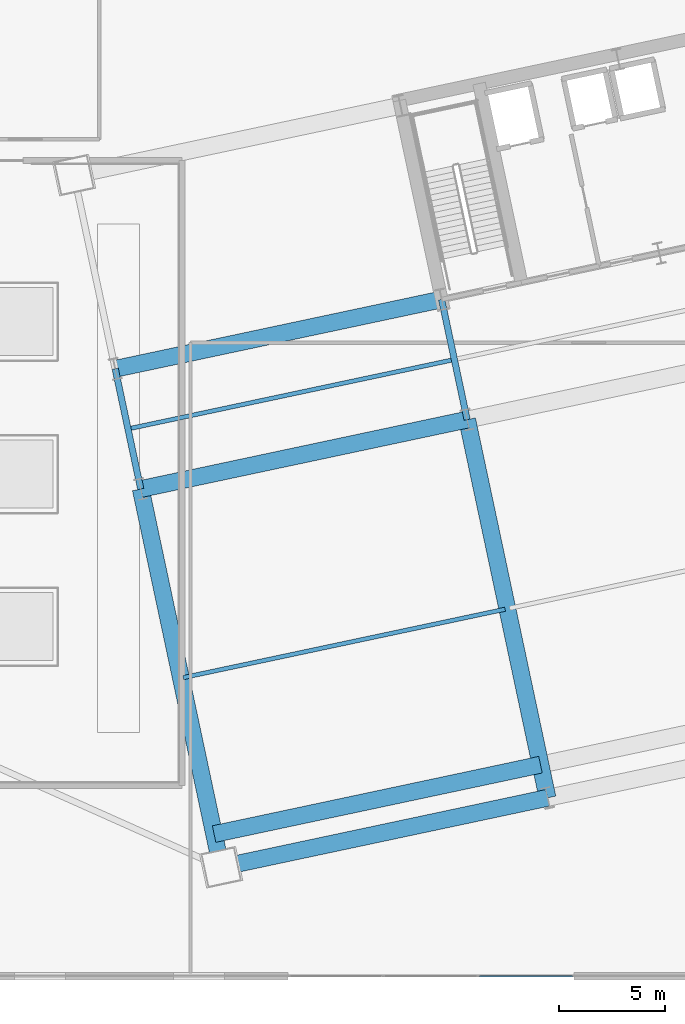
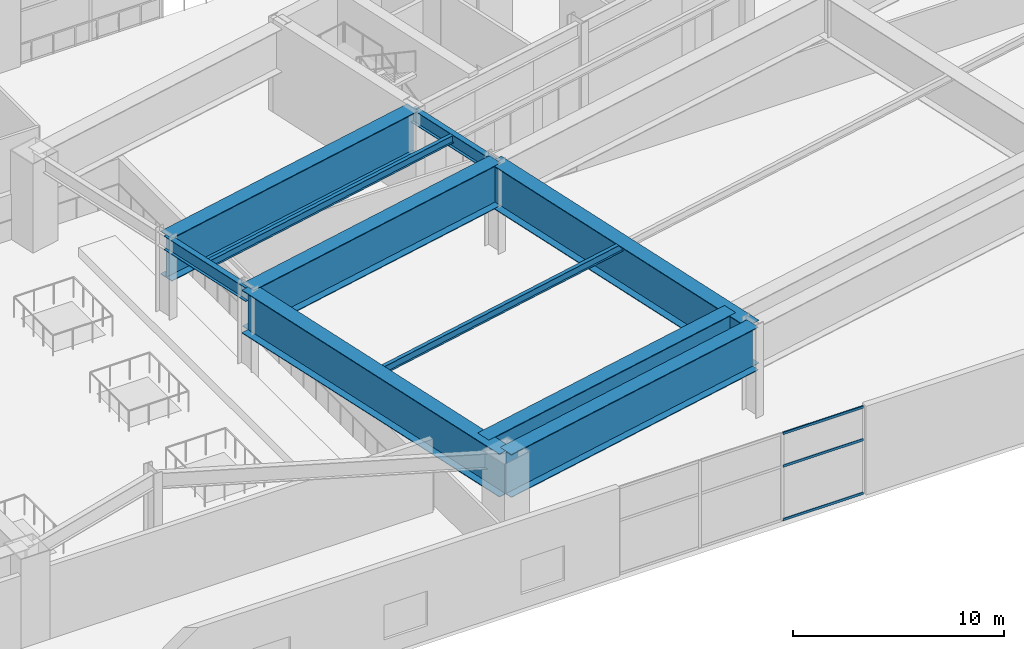
# One storey, part 9 of 29: 10 beams, 3 members, 1 element without a shape of its own.
"""IFC4 building model written with IfcOpenShell, lengths in metres."""

from ifc_helpers import new_model, si_unit, direction, frame, origin, origin_2d, place, context, subcontext, project, spatial, hollow_rectangle, i_section, extrude, material, layer, layer_set, material_profile, profile_set, type_object, element, aggregate, save


model = new_model("IFC4")

# Units and contexts
model_context = context("Model", 3, precision=1e-05, world=origin(), true_north=direction((0.0, 1.0)))
body_context = subcontext(model_context, "Body", "Model", "MODEL_VIEW")
ifc_project = project(units=[si_unit("LENGTHUNIT", "METRE"), si_unit("AREAUNIT", "SQUARE_METRE"), si_unit("VOLUMEUNIT", "CUBIC_METRE"), si_unit("PLANEANGLEUNIT", "RADIAN"), si_unit("MASSUNIT", "GRAM", prefix="KILO")], contexts=[model_context])

# Site, building, storey
site_placement = place(None, origin())
site = spatial("IfcSite", under=ifc_project, at=site_placement, CompositionType="ELEMENT")
building_placement = place(site_placement, origin())
building = spatial("IfcBuilding", under=site, at=building_placement, Name="Haevon Station Towers", CompositionType="ELEMENT")
storey_placement = place(building_placement, frame((0.0, 0.0, 25.199951171875)))
storey = spatial("IfcBuildingStorey", under=building, at=storey_placement, Name="L05", CompositionType="ELEMENT", Elevation=25.199951171875)

# Beams
ifc_material_1 = material(Name="Steel S355", Category="steel")
ifc_material_profile_1 = material_profile(ifc_material_1, i_section(OverallWidth=0.199951171875, OverallDepth=0.449951171875, WebThickness=0.009033203125, FlangeThickness=0.013916015625, at=origin_2d()), Name="H-450x200x9x14")
ifc_profile_set_1 = profile_set([ifc_material_profile_1], Name="Steel S355")
beam_type_1 = type_object("IfcBeamType", Name="BM-J450", PredefinedType="JOIST", material=ifc_profile_set_1)
for number, where, z_axis, x_axis, name in (
    (1, (86.55712890625, 19.591796875, 4.925048828125), (0.978145944065, 0.207919484679, 0.0), (-0.207919484679, 0.978145944065, 0.0), "BM-T2J-L05-01-01"),
    (2, (84.05712890625, 31.35400390625, 4.925048828125), (0.978145944065, 0.207919484679, 0.0), (-0.207919484679, 0.978145944065, 0.0), "BM-T2J-L05-02-01"),
):
    element("IfcBeam", number, at=place(storey_placement, frame(where, z_axis=z_axis, x_axis=x_axis)), inside=storey, type_object=beam_type_1, Name=name, PredefinedType="JOIST", context=body_context, shape_type="SweptSolid", body=[
        extrude(i_section(OverallWidth=0.199951171875, OverallDepth=0.449951171875, WebThickness=0.009033203125, FlangeThickness=0.013916015625, at=origin_2d()), origin(), (0.0, 0.0, 1.0), 15.530029296875),
    ])
ifc_material_profile_2 = material_profile(ifc_material_1, i_section(OverallWidth=0.300048828125, OverallDepth=0.800048828125, WebThickness=0.013916015625, FlangeThickness=0.02587890625, at=origin_2d()), Name="H-800x300x14x26")
ifc_profile_set_2 = profile_set([ifc_material_profile_2], Name="Steel S355")
beam_type_2 = type_object("IfcBeamType", Name="BM-PG800", PredefinedType="BEAM", material=ifc_profile_set_2)
beam_1_placement = place(storey_placement, frame((84.552490234375, 28.49462890625, 4.75), z_axis=(-0.207944843707, 0.978140553282, 0.0), x_axis=(-0.978140553282, -0.207944843707, 0.0)))
element("IfcBeam", 3, at=beam_1_placement, inside=storey, type_object=beam_type_2, Name="BM-T2V-L05-01-02", PredefinedType="BEAM", context=body_context, shape_type="SweptSolid", body=[
    extrude(i_section(OverallWidth=0.300048828125, OverallDepth=0.800048828125, WebThickness=0.013916015625, FlangeThickness=0.02587890625, at=origin_2d()), origin(), (0.0, 0.0, 1.0), 5.7998046875),
])
beam_2_placement = place(storey_placement, frame((99.958251953125, 31.76904296875, 4.75), z_axis=(-0.207896009217, 0.97815093383, 0.0), x_axis=(-0.97815093383, -0.207896009217, 0.0)))
element("IfcBeam", 4, at=beam_2_placement, inside=storey, type_object=beam_type_2, Name="BM-T2V-L05-02-02", PredefinedType="BEAM", context=body_context, shape_type="SweptSolid", body=[
    extrude(i_section(OverallWidth=0.300048828125, OverallDepth=0.800048828125, WebThickness=0.013916015625, FlangeThickness=0.02587890625, at=origin_2d()), origin(), (0.0, 0.0, 1.0), 5.800048828125),
])
ifc_material_2 = material(Name="Steel S460", Category="steel")
ifc_material_profile_3 = material_profile(ifc_material_2, i_section(OverallWidth=0.800048828125, OverallDepth=2.5, WebThickness=0.031982421875, FlangeThickness=0.0400390625, at=origin_2d()), Name="H-2500x800x32x40")
ifc_profile_set_3 = profile_set([ifc_material_profile_3], Name="Steel S460")
beam_type_3 = type_object("IfcBeamType", Name="BM-TG2500", PredefinedType="BEAM", material=ifc_profile_set_3)
for number, where, z_axis, x_axis, name in (
    (5, (88.346923828125, 10.643310546875, 3.900146484375), (0.978146794194, 0.207915485254, 0.0), (-0.207915485254, 0.978146794194, 0.0), "BM-T2U-L05-01-01"),
    (6, (84.552490234375, 28.49462890625, 3.900146484375), (0.978149946567, 0.207900654232, 0.0), (-0.207900654232, 0.978149946567, 0.0), "BM-T2U-L05-02-01"),
):
    element("IfcBeam", number, at=place(storey_placement, frame(where, z_axis=z_axis, x_axis=x_axis)), inside=storey, type_object=beam_type_3, Name=name, PredefinedType="BEAM", context=body_context, shape_type="SweptSolid", body=[
        extrude(i_section(OverallWidth=0.800048828125, OverallDepth=2.5, WebThickness=0.031982421875, FlangeThickness=0.0400390625, at=origin_2d()), origin(), (0.0, 0.0, 1.0), 15.75),
    ])
beam_3_placement = place(storey_placement, frame((83.346435546875, 34.167724609375, 3.900146484375), z_axis=(0.978147464271, 0.207912332825, 0.0), x_axis=(-0.207912332825, 0.978147464271, 0.0)))
element("IfcBeam", 7, at=beam_3_placement, inside=storey, type_object=beam_type_3, Name="BM-T2U-L05-03-01", PredefinedType="BEAM", context=body_context, shape_type="SweptSolid", body=[
    extrude(i_section(OverallWidth=0.800048828125, OverallDepth=2.5, WebThickness=0.031982421875, FlangeThickness=0.0400390625, at=origin_2d()), origin(), (0.0, 0.0, 1.0), 15.750244140625),
])
beam_4_placement = place(storey_placement, frame((88.346923828125, 10.643310546875, 3.900146484375), z_axis=(-0.207912673377, 0.978147391884, 0.0), x_axis=(-0.978147391884, -0.207912673377, 0.0)))
element("IfcBeam", 8, at=beam_4_placement, inside=storey, type_object=beam_type_3, Name="BM-T2V-L05-01-01", PredefinedType="BEAM", context=body_context, shape_type="SweptSolid", body=[
    extrude(i_section(OverallWidth=0.800048828125, OverallDepth=2.5, WebThickness=0.031982421875, FlangeThickness=0.0400390625, at=origin_2d()), origin(), (0.0, 0.0, 1.0), 18.250244140625),
])
beam_5_placement = place(storey_placement, frame((103.752685546875, 13.91796875, 3.900146484375), z_axis=(-0.207915393978, 0.978146813595, 0.0), x_axis=(-0.978146813595, -0.207915393978, 0.0)))
element("IfcBeam", 9, at=beam_5_placement, inside=storey, type_object=beam_type_3, Name="BM-T2V-L05-02-01", PredefinedType="BEAM", context=body_context, shape_type="SweptSolid", body=[
    extrude(i_section(OverallWidth=0.800048828125, OverallDepth=2.5, WebThickness=0.031982421875, FlangeThickness=0.0400390625, at=origin_2d()), origin(), (0.0, 0.0, 1.0), 18.25),
])
beam_6_placement = place(storey_placement, frame((88.01416015625, 12.20849609375, 3.900146484375), z_axis=(0.978149946567, 0.207900654232, 0.0), x_axis=(-0.207900654232, 0.978149946567, 0.0)))
element("IfcBeam", 10, at=beam_6_placement, inside=storey, type_object=beam_type_3, Name="BM-L05-T2TRN-1", PredefinedType="BEAM", context=body_context, shape_type="SweptSolid", body=[
    extrude(i_section(OverallWidth=0.800048828125, OverallDepth=2.5, WebThickness=0.031982421875, FlangeThickness=0.0400390625, at=origin_2d()), origin(), (0.0, 0.0, 1.0), 15.75),
])

# Curtain wall, members
ifc_material_3 = material(Name="Anodised aluminium and Low-E double glazing", Category="aluminium")
ifc_layer = layer(ifc_material_3, 0.179931640625)
ifc_layer_set = layer_set([ifc_layer], Name="Anodised aluminium and Low-E double glazing")
curtain_wall_type = type_object("IfcCurtainWallType", Name="CW-SYS3", PredefinedType="NOTDEFINED", material=ifc_layer_set)
curtain_wall_placement = place(storey_placement, origin())
curtain_wall = element("IfcCurtainWall", 11, at=curtain_wall_placement, inside=storey, type_object=curtain_wall_type, Name="L05 Curtain Wall CW-POD-L05-S1", PredefinedType="NOTDEFINED")
ifc_material_4 = material(Name="Anodised aluminium 6063-T6", Category="aluminium")
ifc_material_profile_4 = material_profile(ifc_material_4, hollow_rectangle(XDim=0.06494140625, YDim=0.139892578125, WallThickness=0.00341796875, at=origin_2d()), Name="CWT-140x65x3.5")
ifc_profile_set_4 = profile_set([ifc_material_profile_4], Name="Anodised aluminium 6063-T6")
member_type = type_object("IfcMemberType", Name="CWT-140", PredefinedType="USERDEFINED", material=ifc_profile_set_4)
member_1_placement = place(storey_placement, frame((104.93505859375, 5.5, 0.032470703125), z_axis=(-1.0, 0.0, 0.0), x_axis=(0.0, -1.0, 0.0)))
member_1 = element("IfcMember", 12, at=member_1_placement, type_object=member_type, Name="CW-SYS3 transom 1.1", ObjectType="TRANSOM", PredefinedType="USERDEFINED", context=body_context, shape_type="SweptSolid", body=[
    extrude(hollow_rectangle(XDim=0.06494140625, YDim=0.139892578125, WallThickness=0.00341796875, at=origin_2d()), origin(), (0.0, 0.0, 1.0), 4.402587890625),
])
member_2_placement = place(storey_placement, frame((104.93505859375, 5.5, 3.131103515625), z_axis=(-1.0, 0.0, 0.0), x_axis=(0.0, -1.0, 0.0)))
member_2 = element("IfcMember", 13, at=member_2_placement, type_object=member_type, Name="CW-SYS3 transom 1.2", ObjectType="TRANSOM", PredefinedType="USERDEFINED", context=body_context, shape_type="SweptSolid", body=[
    extrude(hollow_rectangle(XDim=0.06494140625, YDim=0.139892578125, WallThickness=0.00341796875, at=origin_2d()), origin(), (0.0, 0.0, 1.0), 4.402587890625),
])
member_3_placement = place(storey_placement, frame((104.93505859375, 5.5, 5.017578125), z_axis=(-1.0, 0.0, 0.0), x_axis=(0.0, -1.0, 0.0)))
member_3 = element("IfcMember", 14, at=member_3_placement, type_object=member_type, Name="CW-SYS3 transom 1.3", ObjectType="TRANSOM", PredefinedType="USERDEFINED", context=body_context, shape_type="SweptSolid", body=[
    extrude(hollow_rectangle(XDim=0.06494140625, YDim=0.139892578125, WallThickness=0.00341796875, at=origin_2d()), origin(), (0.0, 0.0, 1.0), 4.402587890625),
])
aggregate(curtain_wall, [member_1, member_2, member_3])

save(model, "model.ifc")
